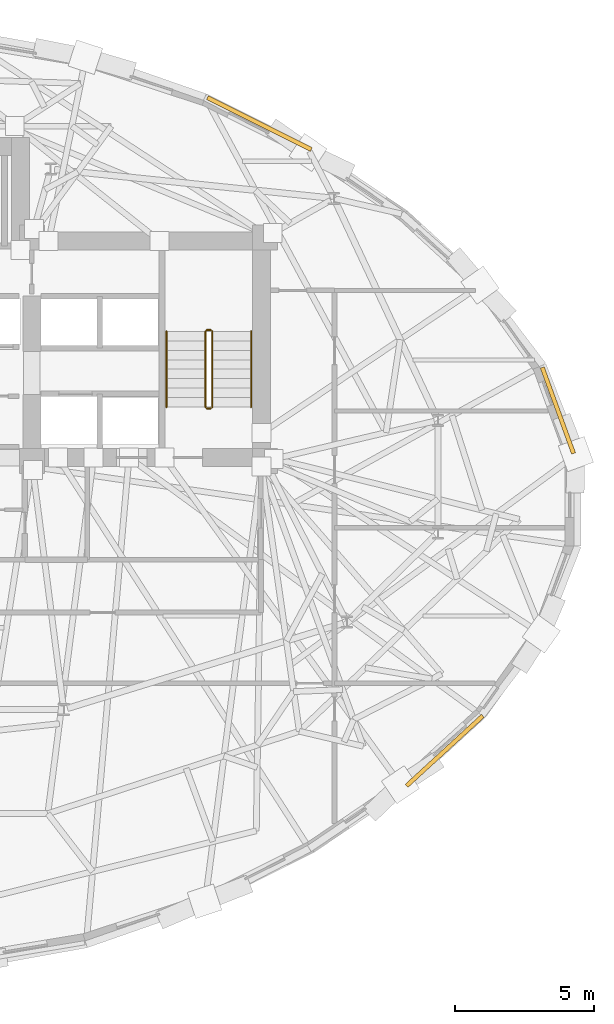
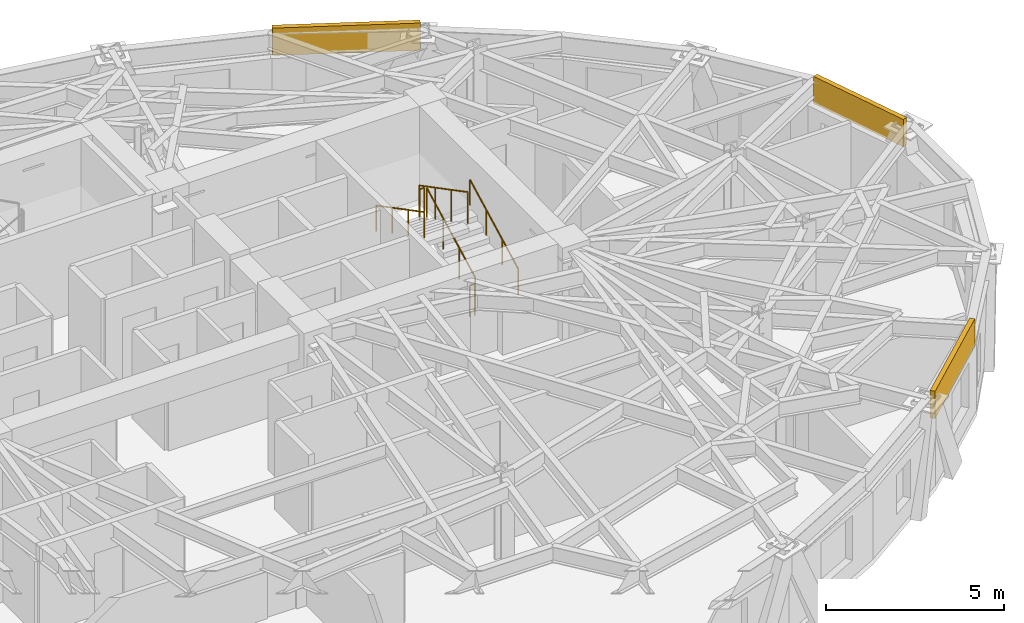
# One storey, part 13 of 14: 6 railings, 3 coverings.
"""IFC4 building model written with IfcOpenShell, lengths in metres."""

from ifc_helpers import new_model, si_unit, direction, frame, origin, origin_2d, place, context, subcontext, project, spatial, rectangle, circle, extrude, material, layer, layer_set, type_object, element, save


model = new_model("IFC4")

# Units and contexts
model_context = context("Model", 3, precision=1e-05, world=origin(), true_north=direction((0.0, 1.0)))
body_context = subcontext(model_context, "Body", "Model", "MODEL_VIEW")
ifc_project = project(units=[si_unit("LENGTHUNIT", "METRE"), si_unit("AREAUNIT", "SQUARE_METRE"), si_unit("VOLUMEUNIT", "CUBIC_METRE"), si_unit("PLANEANGLEUNIT", "RADIAN"), si_unit("MASSUNIT", "GRAM", prefix="KILO")], contexts=[model_context])

# Site, building, storey
site_placement = place(None, origin())
site = spatial("IfcSite", under=ifc_project, at=site_placement, CompositionType="ELEMENT")
building_placement = place(site_placement, origin())
building = spatial("IfcBuilding", under=site, at=building_placement, Name="Keldmark Tower", CompositionType="ELEMENT")
storey_placement = place(building_placement, frame((0.0, 0.0, 172.60009765625)))
storey = spatial("IfcBuildingStorey", under=building, at=storey_placement, Name="L47", CompositionType="ELEMENT", Elevation=172.60009765625)

# Coverings
ifc_material_1 = material(Name="Honed Kasota Buff Dolomitic Limestone", Category="masonry")
ifc_layer = layer(ifc_material_1, 0.074951171875)
ifc_layer_set = layer_set([ifc_layer], Name="Honed Kasota Buff Dolomitic Limestone")
covering_type = type_object("IfcCoveringType", Name="Kasota Buff Limestone Spandrel Cladding Band", PredefinedType="CLADDING", material=ifc_layer_set)
covering_1_placement = place(storey_placement, frame((24.14599609375, 3.224609375, 2.239013671875), z_axis=(0.0, 0.0, 1.0), x_axis=(-0.341970940666, 0.939710527631, 0.0)))
element("IfcCovering", 1, at=covering_1_placement, inside=storey, type_object=covering_type, Name="L47 Kasota Limestone Spandrel Band 01", PredefinedType="CLADDING", context=body_context, shape_type="SweptSolid", body=[
    extrude(rectangle(XDim=3.294189453125, YDim=0.14990234375, at=origin_2d()), origin(), (0.0, 0.0, 1.0), 0.94091796875),
])
covering_2_placement = place(storey_placement, frame((13.39599609375, 13.555908203125, 2.239013671875), z_axis=(0.0, 0.0, 1.0), x_axis=(-0.894427590455, 0.44721279659, 0.0)))
element("IfcCovering", 2, at=covering_2_placement, inside=storey, type_object=covering_type, Name="L47 Kasota Limestone Spandrel Band 05", PredefinedType="CLADDING", context=body_context, shape_type="SweptSolid", body=[
    extrude(rectangle(XDim=4.1767578125, YDim=0.14990234375, at=origin_2d()), origin(), (0.0, 0.0, 1.0), 0.94091796875),
])
covering_3_placement = place(storey_placement, frame((20.067626953125, -9.033447265625, 2.239013671875), z_axis=(0.0, 0.0, 1.0), x_axis=(0.736274267607, 0.676683236722, 0.0)))
element("IfcCovering", 3, at=covering_3_placement, inside=storey, type_object=covering_type, Name="L47 Kasota Limestone Spandrel Band 29", PredefinedType="CLADDING", context=body_context, shape_type="SweptSolid", body=[
    extrude(rectangle(XDim=3.72998046875, YDim=0.14990234375, at=origin_2d()), origin(), (0.0, 0.0, 1.0), 0.94091796875),
])

# Railings
ifc_material_2 = material(Name="Painted Steel ASTM A500 Grade B", Category="steel")
railing_type_1 = type_object("IfcRailingType", Name="Painted Steel Stair Well Guard 1100 mm", PredefinedType="GUARDRAIL", material=ifc_material_2)
railing_1_placement = place(storey_placement, frame((11.699951171875, 3.35009765625, 0.177734375)))
element("IfcRailing", 4, at=railing_1_placement, inside=storey, type_object=railing_type_1, Name="L47 ST2 stair guard 1", PredefinedType="GUARDRAIL", context=body_context, shape_type="SweptSolid", body=[
    extrude(circle(Radius=0.02392578125, at=origin_2d()), frame((0.0, 0.0, 1.076171875), z_axis=(0.0, 0.886183135912, 0.463335137482), x_axis=(-1.0, 0.0, 0.0)), (0.0, 0.0, 1.0), 3.0693359375),
    extrude(circle(Radius=0.02099609375, at=origin_2d()), origin(), (0.0, 0.0, 1.0), 1.052001953125),
    extrude(circle(Radius=0.02099609375, at=origin_2d()), frame((0.0, 0.90673828125, 0.47412109375)), (0.0, 0.0, 1.0), 1.052001953125),
    extrude(circle(Radius=0.02099609375, at=origin_2d()), frame((0.0, 1.813232421875, 0.947998046875)), (0.0, 0.0, 1.0), 1.052001953125),
    extrude(circle(Radius=0.02099609375, at=origin_2d()), frame((0.0, 2.719970703125, 1.422119140625)), (0.0, 0.0, 1.0), 1.052001953125),
])
railing_2_placement = place(storey_placement, frame((11.64990234375, 6.1201171875, 1.599853515625)))
element("IfcRailing", 5, at=railing_2_placement, inside=storey, type_object=railing_type_1, Name="L47 ST2 stair guard 2", PredefinedType="GUARDRAIL", context=body_context, shape_type="SweptSolid", body=[
    extrude(circle(Radius=0.02392578125, at=origin_2d()), frame((0.0, 0.0, 1.076171875), z_axis=(-1.0, 0.0, 0.0), x_axis=(0.0, -1.0, 0.0)), (0.0, 0.0, 1.0), 0.14990234375),
    extrude(circle(Radius=0.02099609375, at=origin_2d()), origin(), (0.0, 0.0, 1.0), 1.052001953125),
    extrude(circle(Radius=0.02099609375, at=origin_2d()), frame((-0.14990234375, 0.0, 0.0)), (0.0, 0.0, 1.0), 1.052001953125),
])
railing_3_placement = place(storey_placement, frame((11.449951171875, 6.070068359375, 1.777587890625)))
element("IfcRailing", 6, at=railing_3_placement, inside=storey, type_object=railing_type_1, Name="L47 ST2 stair guard 3", PredefinedType="GUARDRAIL", context=body_context, shape_type="SweptSolid", body=[
    extrude(circle(Radius=0.02392578125, at=origin_2d()), frame((0.0, 0.0, 1.076171875), z_axis=(0.0, -0.886150474775, 0.463397600399), x_axis=(1.0, 0.0, 0.0)), (0.0, 0.0, 1.0), 3.0693359375),
    extrude(circle(Radius=0.02099609375, at=origin_2d()), origin(), (0.0, 0.0, 1.0), 1.052001953125),
    extrude(circle(Radius=0.02099609375, at=origin_2d()), frame((0.0, -0.90673828125, 0.47412109375)), (0.0, 0.0, 1.0), 1.052001953125),
    extrude(circle(Radius=0.02099609375, at=origin_2d()), frame((0.0, -1.813232421875, 0.9482421875)), (0.0, 0.0, 1.0), 1.052001953125),
    extrude(circle(Radius=0.02099609375, at=origin_2d()), frame((0.0, -2.719970703125, 1.42236328125)), (0.0, 0.0, 1.0), 1.052001953125),
])
railing_4_placement = place(storey_placement, frame((11.64990234375, 3.300048828125, 0.0)))
element("IfcRailing", 7, at=railing_4_placement, inside=storey, type_object=railing_type_1, Name="L47 ST2 stair guard 4", PredefinedType="GUARDRAIL", context=body_context, shape_type="SweptSolid", body=[
    extrude(circle(Radius=0.02392578125, at=origin_2d()), frame((0.0, 0.0, 1.076171875), z_axis=(-1.0, 0.0, 0.0), x_axis=(0.0, -1.0, 0.0)), (0.0, 0.0, 1.0), 0.14990234375),
    extrude(circle(Radius=0.02099609375, at=origin_2d()), origin(), (0.0, 0.0, 1.0), 1.052001953125),
    extrude(circle(Radius=0.02099609375, at=origin_2d()), frame((-0.14990234375, 0.0, 0.0)), (0.0, 0.0, 1.0), 1.052001953125),
])
ifc_material_3 = material(Name="Stainless Steel AISI 316L", Category="steel")
railing_type_2 = type_object("IfcRailingType", Name="Stainless Steel Stair Handrail 900 mm", PredefinedType="HANDRAIL", material=ifc_material_3)
railing_5_placement = place(storey_placement, frame((13.10009765625, 3.35009765625, 0.177734375)))
element("IfcRailing", 8, at=railing_5_placement, inside=storey, type_object=railing_type_2, Name="L47 ST2 stair handrail 1", PredefinedType="HANDRAIL", context=body_context, shape_type="SweptSolid", body=[
    extrude(circle(Radius=0.02392578125, at=origin_2d()), frame((0.0, 0.0, 0.8759765625), z_axis=(0.0, 0.886183135912, 0.463335137482), x_axis=(-1.0, 0.0, 0.0)), (0.0, 0.0, 1.0), 3.0693359375),
    extrude(circle(Radius=0.02099609375, at=origin_2d()), origin(), (0.0, 0.0, 1.0), 0.851806640625),
    extrude(circle(Radius=0.02099609375, at=origin_2d()), frame((0.0, 0.90673828125, 0.47412109375)), (0.0, 0.0, 1.0), 0.851806640625),
    extrude(circle(Radius=0.02099609375, at=origin_2d()), frame((0.0, 1.813232421875, 0.947998046875)), (0.0, 0.0, 1.0), 0.851806640625),
    extrude(circle(Radius=0.02099609375, at=origin_2d()), frame((0.0, 2.719970703125, 1.422119140625)), (0.0, 0.0, 1.0), 0.851806640625),
])
railing_6_placement = place(storey_placement, frame((10.050048828125, 6.070068359375, 1.777587890625)))
element("IfcRailing", 9, at=railing_6_placement, inside=storey, type_object=railing_type_2, Name="L47 ST2 stair handrail 2", PredefinedType="HANDRAIL", context=body_context, shape_type="SweptSolid", body=[
    extrude(circle(Radius=0.02392578125, at=origin_2d()), frame((0.0, 0.0, 0.8759765625), z_axis=(0.0, -0.886150474775, 0.463397600399), x_axis=(1.0, 0.0, 0.0)), (0.0, 0.0, 1.0), 3.0693359375),
    extrude(circle(Radius=0.02099609375, at=origin_2d()), origin(), (0.0, 0.0, 1.0), 0.851806640625),
    extrude(circle(Radius=0.02099609375, at=origin_2d()), frame((0.0, -0.90673828125, 0.47412109375)), (0.0, 0.0, 1.0), 0.851806640625),
    extrude(circle(Radius=0.02099609375, at=origin_2d()), frame((0.0, -1.813232421875, 0.9482421875)), (0.0, 0.0, 1.0), 0.851806640625),
    extrude(circle(Radius=0.02099609375, at=origin_2d()), frame((0.0, -2.719970703125, 1.42236328125)), (0.0, 0.0, 1.0), 0.851806640625),
])

save(model, "model.ifc")
